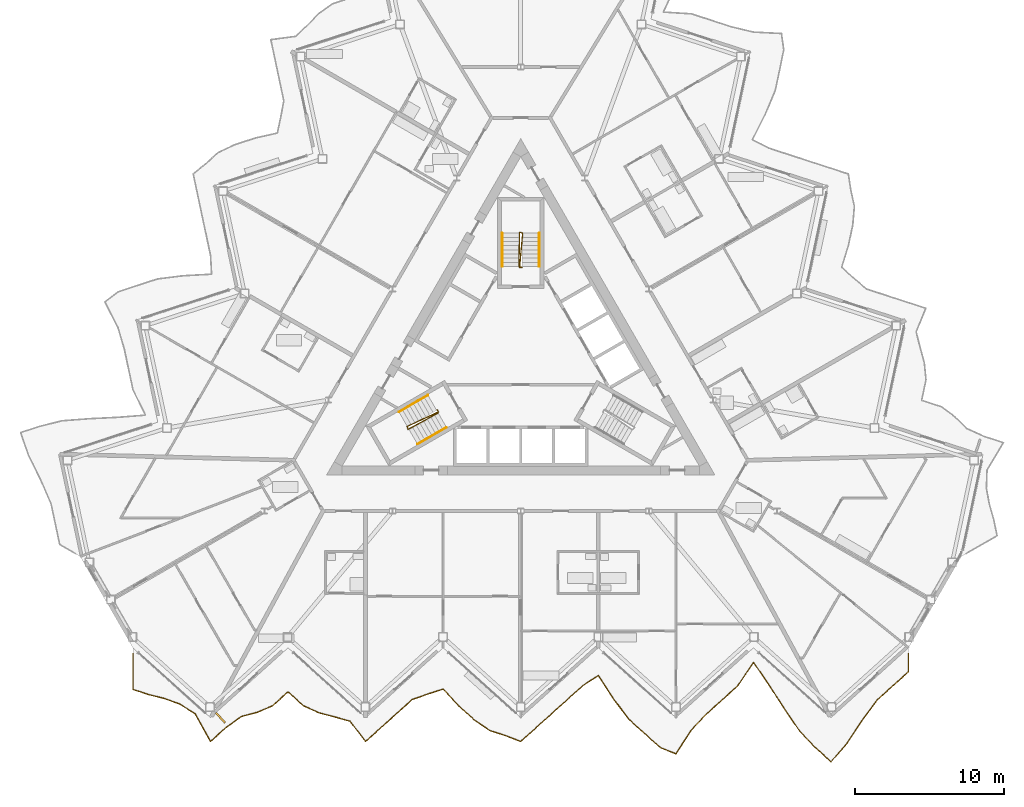
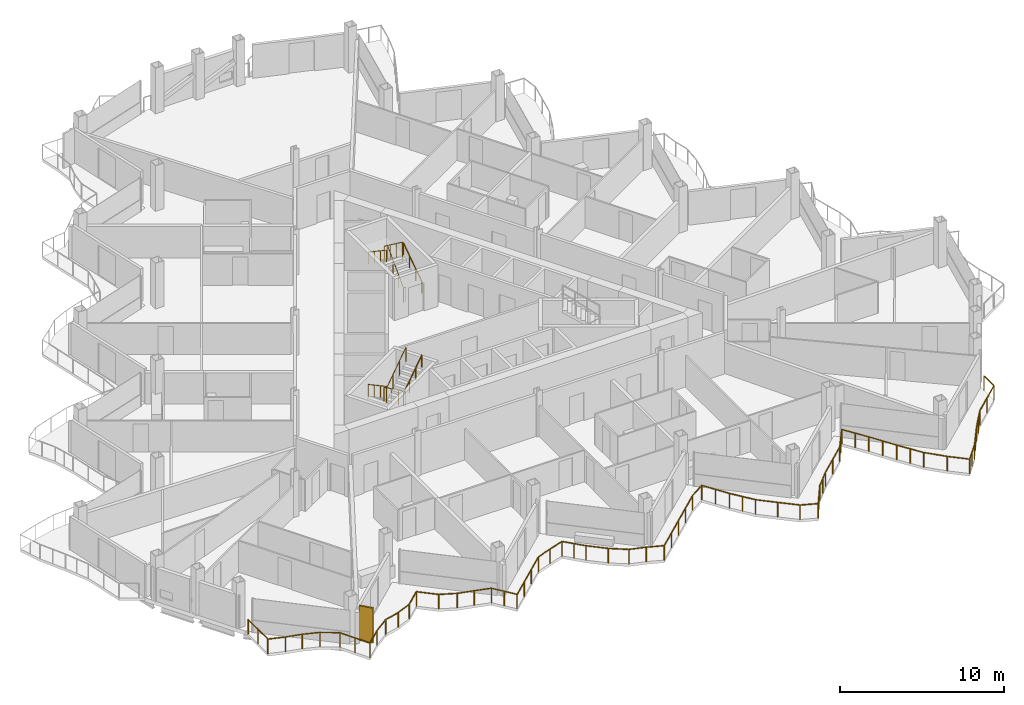
# One storey, part 23 of 28: 7 railings, 1 shading device.
"""IFC4 building model written with IfcOpenShell, lengths in metres."""

from ifc_helpers import new_model, si_unit, direction, frame, origin, origin_2d, place, context, subcontext, project, spatial, rectangle, circle, extrude, material, layer, layer_set, type_object, element, save


model = new_model("IFC4")

# Units and contexts
model_context = context("Model", 3, precision=1e-05, world=origin(), true_north=direction((0.0, 1.0)))
body_context = subcontext(model_context, "Body", "Model", "MODEL_VIEW")
ifc_project = project(units=[si_unit("LENGTHUNIT", "METRE"), si_unit("AREAUNIT", "SQUARE_METRE"), si_unit("VOLUMEUNIT", "CUBIC_METRE"), si_unit("PLANEANGLEUNIT", "RADIAN"), si_unit("MASSUNIT", "GRAM", prefix="KILO")], contexts=[model_context])

# Site, building, storey
site_placement = place(None, origin())
site = spatial("IfcSite", under=ifc_project, at=site_placement, CompositionType="ELEMENT")
building_placement = place(site_placement, origin())
building = spatial("IfcBuilding", under=site, at=building_placement, Name="Cormorant Prow Tower", CompositionType="ELEMENT")
storey_placement = place(building_placement, frame((0.0, 0.0, 308.60009765625)))
storey = spatial("IfcBuildingStorey", under=building, at=storey_placement, Name="L67", CompositionType="ELEMENT", Elevation=308.60009765625)

# Railings
ifc_material_1 = material(Name="Aluminium 6063-T6", Category="aluminium")
railing_type_1 = type_object("IfcRailingType", Name="Balcony guard 1100", PredefinedType="GUARDRAIL", material=ifc_material_1)
railing_1_placement = place(storey_placement, frame((-25.95458984375, -19.43505859375, 0.0)))
element("IfcRailing", 1, at=railing_1_placement, inside=storey, type_object=railing_type_1, Name="Balcony guard S", PredefinedType="GUARDRAIL", context=body_context, shape_type="SweptSolid", body=[
    extrude(circle(Radius=0.02392578125, at=origin_2d()), frame((0.0, 0.0, 1.076171875), z_axis=(0.0, -1.0, 0.0), x_axis=(1.0, 0.0, 0.0)), (0.0, 0.0, 1.0), 2.40380859375),
    extrude(circle(Radius=0.02392578125, at=origin_2d()), frame((0.0, -2.40380859375, 1.076171875), z_axis=(0.949173259648, -0.314754067757, 0.0), x_axis=(0.314754067757, 0.949173259648, 0.0)), (0.0, 0.0, 1.0), 1.09375),
    extrude(circle(Radius=0.02392578125, at=origin_2d()), frame((1.0380859375, -2.748046875, 1.076171875), z_axis=(0.970517275206, -0.241031571641, 0.0), x_axis=(0.241031571641, 0.970517275206, 0.0)), (0.0, 0.0, 1.0), 1.069580078125),
    extrude(circle(Radius=0.02392578125, at=origin_2d()), frame((2.076171875, -3.005859375, 1.076171875), z_axis=(0.941736901788, -0.336350424128, 0.0), x_axis=(0.336350424128, 0.941736901788, 0.0)), (0.0, 0.0, 1.0), 1.1025390625),
    extrude(circle(Radius=0.02392578125, at=origin_2d()), frame((3.114501953125, -3.376708984375, 1.076171875), z_axis=(0.848043120232, -0.529927227294, 0.0), x_axis=(0.529927227294, 0.848043120232, 0.0)), (0.0, 0.0, 1.0), 1.22412109375),
    extrude(circle(Radius=0.02392578125, at=origin_2d()), frame((4.152587890625, -4.025390625, 1.076171875), z_axis=(0.485672025198, -0.874141112144, 0.0), x_axis=(0.874141112144, 0.485672025198, 0.0)), (0.0, 0.0, 1.0), 2.137451171875),
    extrude(circle(Radius=0.02392578125, at=origin_2d()), frame((5.190673828125, -5.893798828125, 1.076171875), z_axis=(0.743181180353, 0.669090227973, 0.0), x_axis=(-0.669090227973, 0.743181180353, 0.0)), (0.0, 0.0, 1.0), 1.397216796875),
    extrude(circle(Radius=0.02392578125, at=origin_2d()), frame((6.22900390625, -4.958984375, 1.076171875), z_axis=(0.813112800382, 0.582106153425, 0.0), x_axis=(-0.582106153425, 0.813112800382, 0.0)), (0.0, 0.0, 1.0), 1.276611328125),
    extrude(circle(Radius=0.02392578125, at=origin_2d()), frame((7.26708984375, -4.2158203125, 1.076171875), z_axis=(0.967976416929, 0.251041144574, 0.0), x_axis=(-0.251041144574, 0.967976416929, 0.0)), (0.0, 0.0, 1.0), 1.07275390625),
    extrude(circle(Radius=0.02392578125, at=origin_2d()), frame((8.305419921875, -3.946533203125, 1.076171875), z_axis=(0.920104863514, 0.39167210794, 0.0), x_axis=(-0.39167210794, 0.920104863514, 0.0)), (0.0, 0.0, 1.0), 1.128173828125),
    extrude(circle(Radius=0.02392578125, at=origin_2d()), frame((9.343505859375, -3.504638671875, 1.076171875), z_axis=(0.743181180353, 0.669090227973, 0.0), x_axis=(-0.669090227973, 0.743181180353, 0.0)), (0.0, 0.0, 1.0), 1.397216796875),
    extrude(circle(Radius=0.02392578125, at=origin_2d()), frame((10.3818359375, -2.56982421875, 1.076171875), z_axis=(0.743102935947, -0.669177126468, 0.0), x_axis=(0.669177126468, 0.743102935947, 0.0)), (0.0, 0.0, 1.0), 1.39697265625),
    extrude(circle(Radius=0.02392578125, at=origin_2d()), frame((11.419921875, -3.504638671875, 1.076171875), z_axis=(0.911668647203, -0.410926121958, 0.0), x_axis=(0.410926121958, 0.911668647203, 0.0)), (0.0, 0.0, 1.0), 1.138916015625),
    extrude(circle(Radius=0.02392578125, at=origin_2d()), frame((12.458251953125, -3.97265625, 1.076171875), z_axis=(0.967239344421, -0.253866206109, 0.0), x_axis=(0.253866206109, 0.967239344421, 0.0)), (0.0, 0.0, 1.0), 1.0732421875),
    extrude(circle(Radius=0.02392578125, at=origin_2d()), frame((13.496337890625, -4.2451171875, 1.076171875), z_axis=(0.961694459853, -0.274123632489, 0.0), x_axis=(0.274123632489, 0.961694459853, 0.0)), (0.0, 0.0, 1.0), 1.079345703125),
    extrude(circle(Radius=0.02392578125, at=origin_2d()), frame((14.534423828125, -4.541015625, 1.076171875), z_axis=(0.608873261751, -0.793267515486, 0.0), x_axis=(0.793267515486, 0.608873261751, 0.0)), (0.0, 0.0, 1.0), 1.705322265625),
    extrude(circle(Radius=0.02392578125, at=origin_2d()), frame((15.57275390625, -5.893798828125, 1.076171875), z_axis=(0.743102935947, 0.669177126468, 0.0), x_axis=(-0.669177126468, 0.743102935947, 0.0)), (0.0, 0.0, 1.0), 1.39697265625),
    extrude(circle(Radius=0.02392578125, at=origin_2d()), frame((16.61083984375, -4.958984375, 1.076171875), z_axis=(0.743181180353, 0.669090227973, 0.0), x_axis=(-0.669090227973, 0.743181180353, 0.0)), (0.0, 0.0, 1.0), 1.397216796875),
    extrude(circle(Radius=0.02392578125, at=origin_2d()), frame((17.649169921875, -4.024169921875, 1.076171875), z_axis=(0.743102935947, 0.669177126468, 0.0), x_axis=(-0.669177126468, 0.743102935947, 0.0)), (0.0, 0.0, 1.0), 1.39697265625),
    extrude(circle(Radius=0.02392578125, at=origin_2d()), frame((18.687255859375, -3.08935546875, 1.076171875), z_axis=(0.942017211045, 0.335564560248, 0.0), x_axis=(-0.335564560248, 0.942017211045, 0.0)), (0.0, 0.0, 1.0), 1.102294921875),
    extrude(circle(Radius=0.02392578125, at=origin_2d()), frame((19.7255859375, -2.719482421875, 1.076171875), z_axis=(0.951224593254, 0.30849922721, 0.0), x_axis=(-0.30849922721, 0.951224593254, 0.0)), (0.0, 0.0, 1.0), 1.09130859375),
    extrude(circle(Radius=0.02392578125, at=origin_2d()), frame((20.763671875, -2.3828125, 1.076171875), z_axis=(0.6791818494, -0.733970037158, 0.0), x_axis=(0.733970037158, 0.6791818494, 0.0)), (0.0, 0.0, 1.0), 1.5283203125),
    extrude(circle(Radius=0.02392578125, at=origin_2d()), frame((21.8017578125, -3.504638671875, 1.076171875), z_axis=(0.743181180353, -0.669090227973, 0.0), x_axis=(0.669090227973, 0.743181180353, 0.0)), (0.0, 0.0, 1.0), 1.397216796875),
    extrude(circle(Radius=0.02392578125, at=origin_2d()), frame((22.840087890625, -4.439453125, 1.076171875), z_axis=(0.820987837524, -0.570945680987, 0.0), x_axis=(0.570945680987, 0.820987837524, 0.0)), (0.0, 0.0, 1.0), 1.264404296875),
    extrude(circle(Radius=0.02392578125, at=origin_2d()), frame((23.878173828125, -5.161376953125, 1.076171875), z_axis=(0.953586053712, -0.301120637229, 0.0), x_axis=(0.301120637229, 0.953586053712, 0.0)), (0.0, 0.0, 1.0), 1.0888671875),
    extrude(circle(Radius=0.02392578125, at=origin_2d()), frame((24.91650390625, -5.4892578125, 1.076171875), z_axis=(0.931749472276, -0.363101805165, 0.0), x_axis=(0.363101805165, 0.931749472276, 0.0)), (0.0, 0.0, 1.0), 1.114013671875),
    extrude(circle(Radius=0.02392578125, at=origin_2d()), frame((25.95458984375, -5.893798828125, 1.076171875), z_axis=(0.743102935947, 0.669177126468, 0.0), x_axis=(-0.669177126468, 0.743102935947, 0.0)), (0.0, 0.0, 1.0), 1.39697265625),
    extrude(circle(Radius=0.02392578125, at=origin_2d()), frame((26.99267578125, -4.958984375, 1.076171875), z_axis=(0.743181180353, 0.669090227973, 0.0), x_axis=(-0.669090227973, 0.743181180353, 0.0)), (0.0, 0.0, 1.0), 1.397216796875),
    extrude(circle(Radius=0.02392578125, at=origin_2d()), frame((28.031005859375, -4.024169921875, 1.076171875), z_axis=(0.743102935947, 0.669177126468, 0.0), x_axis=(-0.669177126468, 0.743102935947, 0.0)), (0.0, 0.0, 1.0), 1.39697265625),
    extrude(circle(Radius=0.02392578125, at=origin_2d()), frame((29.069091796875, -3.08935546875, 1.076171875), z_axis=(0.743181180353, 0.669090227973, 0.0), x_axis=(-0.669090227973, 0.743181180353, 0.0)), (0.0, 0.0, 1.0), 1.397216796875),
    extrude(circle(Radius=0.02392578125, at=origin_2d()), frame((30.107421875, -2.154541015625, 1.076171875), z_axis=(0.837073641945, 0.547090228355, 0.0), x_axis=(-0.547090228355, 0.837073641945, 0.0)), (0.0, 0.0, 1.0), 1.240234375),
    extrude(circle(Radius=0.02392578125, at=origin_2d()), frame((31.1455078125, -1.47607421875, 1.076171875), z_axis=(0.546017058916, -0.837774057472, 0.0), x_axis=(0.837774057472, 0.546017058916, 0.0)), (0.0, 0.0, 1.0), 1.901123046875),
    extrude(circle(Radius=0.02392578125, at=origin_2d()), frame((32.18359375, -3.06884765625, 1.076171875), z_axis=(0.603854954358, -0.797094219084, 0.0), x_axis=(0.797094219084, 0.603854954358, 0.0)), (0.0, 0.0, 1.0), 1.719482421875),
    extrude(circle(Radius=0.02392578125, at=origin_2d()), frame((33.221923828125, -4.439453125, 1.076171875), z_axis=(0.743102935947, -0.669177126468, 0.0), x_axis=(0.669177126468, 0.743102935947, 0.0)), (0.0, 0.0, 1.0), 1.39697265625),
    extrude(circle(Radius=0.02392578125, at=origin_2d()), frame((34.260009765625, -5.374267578125, 1.076171875), z_axis=(0.746837425628, -0.665006661381, 0.0), x_axis=(0.665006661381, 0.746837425628, 0.0)), (0.0, 0.0, 1.0), 1.390380859375),
    extrude(circle(Radius=0.02392578125, at=origin_2d()), frame((35.29833984375, -6.298828125, 1.076171875), z_axis=(0.926950423563, -0.375183837947, 0.0), x_axis=(0.375183837947, 0.926950423563, 0.0)), (0.0, 0.0, 1.0), 1.119873046875),
    extrude(circle(Radius=0.02392578125, at=origin_2d()), frame((36.33642578125, -6.718994140625, 1.076171875), z_axis=(0.543590406958, 0.839350623675, 0.0), x_axis=(-0.839350623675, 0.543590406958, 0.0)), (0.0, 0.0, 1.0), 1.91015625),
    extrude(circle(Radius=0.02392578125, at=origin_2d()), frame((37.374755859375, -5.11572265625, 1.076171875), z_axis=(0.689136977099, 0.724631097039, 0.0), x_axis=(-0.724631097039, 0.689136977099, 0.0)), (0.0, 0.0, 1.0), 1.50634765625),
    extrude(circle(Radius=0.02392578125, at=origin_2d()), frame((38.412841796875, -4.024169921875, 1.076171875), z_axis=(0.743102935947, 0.669177126468, 0.0), x_axis=(-0.669177126468, 0.743102935947, 0.0)), (0.0, 0.0, 1.0), 1.39697265625),
    extrude(circle(Radius=0.02392578125, at=origin_2d()), frame((39.450927734375, -3.08935546875, 1.076171875), z_axis=(0.743181180353, 0.669090227973, 0.0), x_axis=(-0.669090227973, 0.743181180353, 0.0)), (0.0, 0.0, 1.0), 1.397216796875),
    extrude(circle(Radius=0.02392578125, at=origin_2d()), frame((40.4892578125, -2.154541015625, 1.076171875), z_axis=(0.554278971018, 0.832330957184, 0.0), x_axis=(-0.832330957184, 0.554278971018, 0.0)), (0.0, 0.0, 1.0), 1.872802734375),
    extrude(circle(Radius=0.02392578125, at=origin_2d()), frame((41.52734375, -0.595703125, 1.076171875), z_axis=(0.566788967797, -0.823863014089, 0.0), x_axis=(0.823863014089, 0.566788967797, 0.0)), (0.0, 0.0, 1.0), 1.83203125),
    extrude(circle(Radius=0.02392578125, at=origin_2d()), frame((42.565673828125, -2.10498046875, 1.076171875), z_axis=(0.541465375542, -0.840723050171, 0.0), x_axis=(0.840723050171, 0.541465375542, 0.0)), (0.0, 0.0, 1.0), 1.917236328125),
    extrude(circle(Radius=0.02392578125, at=origin_2d()), frame((43.603759765625, -3.716796875, 1.076171875), z_axis=(0.56511254565, -0.825013824581, 0.0), x_axis=(0.825013824581, 0.56511254565, 0.0)), (0.0, 0.0, 1.0), 1.83740234375),
    extrude(circle(Radius=0.02392578125, at=origin_2d()), frame((44.64208984375, -5.232666015625, 1.076171875), z_axis=(0.69417484653, -0.71980642012, 0.0), x_axis=(0.71980642012, 0.69417484653, 0.0)), (0.0, 0.0, 1.0), 1.495361328125),
    extrude(circle(Radius=0.02392578125, at=origin_2d()), frame((45.68017578125, -6.30908203125, 1.076171875), z_axis=(0.743181180353, -0.669090227973, 0.0), x_axis=(0.669090227973, 0.743181180353, 0.0)), (0.0, 0.0, 1.0), 1.397216796875),
    extrude(circle(Radius=0.02392578125, at=origin_2d()), frame((46.718505859375, -7.243896484375, 1.076171875), z_axis=(0.655247292245, 0.755414446516, 0.0), x_axis=(-0.755414446516, 0.655247292245, 0.0)), (0.0, 0.0, 1.0), 1.584228515625),
    extrude(circle(Radius=0.02392578125, at=origin_2d()), frame((47.756591796875, -6.047119140625, 1.076171875), z_axis=(0.554880873784, 0.831929814293, 0.0), x_axis=(-0.831929814293, 0.554880873784, 0.0)), (0.0, 0.0, 1.0), 1.870849609375),
    extrude(circle(Radius=0.02392578125, at=origin_2d()), frame((48.794677734375, -4.49072265625, 1.076171875), z_axis=(0.595331321169, 0.803480315898, 0.0), x_axis=(-0.803480315898, 0.595331321169, 0.0)), (0.0, 0.0, 1.0), 1.744140625),
    extrude(circle(Radius=0.02392578125, at=origin_2d()), frame((49.8330078125, -3.08935546875, 1.076171875), z_axis=(0.743102935947, 0.669177126468, 0.0), x_axis=(-0.669177126468, 0.743102935947, 0.0)), (0.0, 0.0, 1.0), 1.39697265625),
    extrude(circle(Radius=0.02392578125, at=origin_2d()), frame((50.87109375, -2.154541015625, 1.076171875), z_axis=(0.743189845047, 0.669080603678, 0.0), x_axis=(-0.669080603678, 0.743189845047, 0.0)), (0.0, 0.0, 1.0), 1.396728515625),
    extrude(circle(Radius=0.02392578125, at=origin_2d()), frame((51.9091796875, -1.219970703125, 1.076171875), z_axis=(0.0, 1.0, 0.0), x_axis=(-1.0, 0.0, 0.0)), (0.0, 0.0, 1.0), 1.219970703125),
    extrude(circle(Radius=0.02099609375, at=origin_2d()), origin(), (0.0, 0.0, 1.0), 1.052001953125),
    extrude(circle(Radius=0.02099609375, at=origin_2d()), frame((0.0, -1.201904296875, 0.0)), (0.0, 0.0, 1.0), 1.052001953125),
    extrude(circle(Radius=0.02099609375, at=origin_2d()), frame((0.0, -2.40380859375, 0.0)), (0.0, 0.0, 1.0), 1.052001953125),
    extrude(circle(Radius=0.02099609375, at=origin_2d()), frame((1.0380859375, -2.748046875, 0.0)), (0.0, 0.0, 1.0), 1.052001953125),
    extrude(circle(Radius=0.02099609375, at=origin_2d()), frame((2.076171875, -3.005859375, 0.0)), (0.0, 0.0, 1.0), 1.052001953125),
    extrude(circle(Radius=0.02099609375, at=origin_2d()), frame((3.114501953125, -3.376708984375, 0.0)), (0.0, 0.0, 1.0), 1.052001953125),
    extrude(circle(Radius=0.02099609375, at=origin_2d()), frame((4.152587890625, -4.025390625, 0.0)), (0.0, 0.0, 1.0), 1.052001953125),
    extrude(circle(Radius=0.02099609375, at=origin_2d()), frame((4.671630859375, -4.95947265625, 0.0)), (0.0, 0.0, 1.0), 1.052001953125),
    extrude(circle(Radius=0.02099609375, at=origin_2d()), frame((5.190673828125, -5.893798828125, 0.0)), (0.0, 0.0, 1.0), 1.052001953125),
    extrude(circle(Radius=0.02099609375, at=origin_2d()), frame((6.22900390625, -4.958984375, 0.0)), (0.0, 0.0, 1.0), 1.052001953125),
    extrude(circle(Radius=0.02099609375, at=origin_2d()), frame((7.26708984375, -4.2158203125, 0.0)), (0.0, 0.0, 1.0), 1.052001953125),
    extrude(circle(Radius=0.02099609375, at=origin_2d()), frame((8.305419921875, -3.946533203125, 0.0)), (0.0, 0.0, 1.0), 1.052001953125),
    extrude(circle(Radius=0.02099609375, at=origin_2d()), frame((9.343505859375, -3.504638671875, 0.0)), (0.0, 0.0, 1.0), 1.052001953125),
    extrude(circle(Radius=0.02099609375, at=origin_2d()), frame((10.3818359375, -2.56982421875, 0.0)), (0.0, 0.0, 1.0), 1.052001953125),
    extrude(circle(Radius=0.02099609375, at=origin_2d()), frame((11.419921875, -3.504638671875, 0.0)), (0.0, 0.0, 1.0), 1.052001953125),
    extrude(circle(Radius=0.02099609375, at=origin_2d()), frame((12.458251953125, -3.97265625, 0.0)), (0.0, 0.0, 1.0), 1.052001953125),
    extrude(circle(Radius=0.02099609375, at=origin_2d()), frame((13.496337890625, -4.2451171875, 0.0)), (0.0, 0.0, 1.0), 1.052001953125),
    extrude(circle(Radius=0.02099609375, at=origin_2d()), frame((14.534423828125, -4.541015625, 0.0)), (0.0, 0.0, 1.0), 1.052001953125),
    extrude(circle(Radius=0.02099609375, at=origin_2d()), frame((15.0537109375, -5.21728515625, 0.0)), (0.0, 0.0, 1.0), 1.052001953125),
    extrude(circle(Radius=0.02099609375, at=origin_2d()), frame((15.57275390625, -5.893798828125, 0.0)), (0.0, 0.0, 1.0), 1.052001953125),
    extrude(circle(Radius=0.02099609375, at=origin_2d()), frame((16.61083984375, -4.958984375, 0.0)), (0.0, 0.0, 1.0), 1.052001953125),
    extrude(circle(Radius=0.02099609375, at=origin_2d()), frame((17.649169921875, -4.024169921875, 0.0)), (0.0, 0.0, 1.0), 1.052001953125),
    extrude(circle(Radius=0.02099609375, at=origin_2d()), frame((18.687255859375, -3.08935546875, 0.0)), (0.0, 0.0, 1.0), 1.052001953125),
    extrude(circle(Radius=0.02099609375, at=origin_2d()), frame((19.7255859375, -2.719482421875, 0.0)), (0.0, 0.0, 1.0), 1.052001953125),
    extrude(circle(Radius=0.02099609375, at=origin_2d()), frame((20.763671875, -2.3828125, 0.0)), (0.0, 0.0, 1.0), 1.052001953125),
    extrude(circle(Radius=0.02099609375, at=origin_2d()), frame((21.28271484375, -2.94384765625, 0.0)), (0.0, 0.0, 1.0), 1.052001953125),
    extrude(circle(Radius=0.02099609375, at=origin_2d()), frame((21.8017578125, -3.504638671875, 0.0)), (0.0, 0.0, 1.0), 1.052001953125),
    extrude(circle(Radius=0.02099609375, at=origin_2d()), frame((22.840087890625, -4.439453125, 0.0)), (0.0, 0.0, 1.0), 1.052001953125),
    extrude(circle(Radius=0.02099609375, at=origin_2d()), frame((23.878173828125, -5.161376953125, 0.0)), (0.0, 0.0, 1.0), 1.052001953125),
    extrude(circle(Radius=0.02099609375, at=origin_2d()), frame((24.91650390625, -5.4892578125, 0.0)), (0.0, 0.0, 1.0), 1.052001953125),
    extrude(circle(Radius=0.02099609375, at=origin_2d()), frame((25.95458984375, -5.893798828125, 0.0)), (0.0, 0.0, 1.0), 1.052001953125),
    extrude(circle(Radius=0.02099609375, at=origin_2d()), frame((26.99267578125, -4.958984375, 0.0)), (0.0, 0.0, 1.0), 1.052001953125),
    extrude(circle(Radius=0.02099609375, at=origin_2d()), frame((28.031005859375, -4.024169921875, 0.0)), (0.0, 0.0, 1.0), 1.052001953125),
    extrude(circle(Radius=0.02099609375, at=origin_2d()), frame((29.069091796875, -3.08935546875, 0.0)), (0.0, 0.0, 1.0), 1.052001953125),
    extrude(circle(Radius=0.02099609375, at=origin_2d()), frame((30.107421875, -2.154541015625, 0.0)), (0.0, 0.0, 1.0), 1.052001953125),
    extrude(circle(Radius=0.02099609375, at=origin_2d()), frame((31.1455078125, -1.47607421875, 0.0)), (0.0, 0.0, 1.0), 1.052001953125),
    extrude(circle(Radius=0.02099609375, at=origin_2d()), frame((31.66455078125, -2.2724609375, 0.0)), (0.0, 0.0, 1.0), 1.052001953125),
    extrude(circle(Radius=0.02099609375, at=origin_2d()), frame((32.18359375, -3.06884765625, 0.0)), (0.0, 0.0, 1.0), 1.052001953125),
    extrude(circle(Radius=0.02099609375, at=origin_2d()), frame((32.70263671875, -3.754150390625, 0.0)), (0.0, 0.0, 1.0), 1.052001953125),
    extrude(circle(Radius=0.02099609375, at=origin_2d()), frame((33.221923828125, -4.439453125, 0.0)), (0.0, 0.0, 1.0), 1.052001953125),
    extrude(circle(Radius=0.02099609375, at=origin_2d()), frame((34.260009765625, -5.374267578125, 0.0)), (0.0, 0.0, 1.0), 1.052001953125),
    extrude(circle(Radius=0.02099609375, at=origin_2d()), frame((35.29833984375, -6.298828125, 0.0)), (0.0, 0.0, 1.0), 1.052001953125),
    extrude(circle(Radius=0.02099609375, at=origin_2d()), frame((36.33642578125, -6.718994140625, 0.0)), (0.0, 0.0, 1.0), 1.052001953125),
    extrude(circle(Radius=0.02099609375, at=origin_2d()), frame((36.85546875, -5.91748046875, 0.0)), (0.0, 0.0, 1.0), 1.052001953125),
    extrude(circle(Radius=0.02099609375, at=origin_2d()), frame((37.374755859375, -5.11572265625, 0.0)), (0.0, 0.0, 1.0), 1.052001953125),
    extrude(circle(Radius=0.02099609375, at=origin_2d()), frame((37.893798828125, -4.56982421875, 0.0)), (0.0, 0.0, 1.0), 1.052001953125),
    extrude(circle(Radius=0.02099609375, at=origin_2d()), frame((38.412841796875, -4.024169921875, 0.0)), (0.0, 0.0, 1.0), 1.052001953125),
    extrude(circle(Radius=0.02099609375, at=origin_2d()), frame((39.450927734375, -3.08935546875, 0.0)), (0.0, 0.0, 1.0), 1.052001953125),
    extrude(circle(Radius=0.02099609375, at=origin_2d()), frame((40.4892578125, -2.154541015625, 0.0)), (0.0, 0.0, 1.0), 1.052001953125),
    extrude(circle(Radius=0.02099609375, at=origin_2d()), frame((41.00830078125, -1.375, 0.0)), (0.0, 0.0, 1.0), 1.052001953125),
    extrude(circle(Radius=0.02099609375, at=origin_2d()), frame((41.52734375, -0.595703125, 0.0)), (0.0, 0.0, 1.0), 1.052001953125),
    extrude(circle(Radius=0.02099609375, at=origin_2d()), frame((42.04638671875, -1.350341796875, 0.0)), (0.0, 0.0, 1.0), 1.052001953125),
    extrude(circle(Radius=0.02099609375, at=origin_2d()), frame((42.565673828125, -2.10498046875, 0.0)), (0.0, 0.0, 1.0), 1.052001953125),
    extrude(circle(Radius=0.02099609375, at=origin_2d()), frame((43.084716796875, -2.910888671875, 0.0)), (0.0, 0.0, 1.0), 1.052001953125),
    extrude(circle(Radius=0.02099609375, at=origin_2d()), frame((43.603759765625, -3.716796875, 0.0)), (0.0, 0.0, 1.0), 1.052001953125),
    extrude(circle(Radius=0.02099609375, at=origin_2d()), frame((44.123046875, -4.474609375, 0.0)), (0.0, 0.0, 1.0), 1.052001953125),
    extrude(circle(Radius=0.02099609375, at=origin_2d()), frame((44.64208984375, -5.232666015625, 0.0)), (0.0, 0.0, 1.0), 1.052001953125),
    extrude(circle(Radius=0.02099609375, at=origin_2d()), frame((45.68017578125, -6.30908203125, 0.0)), (0.0, 0.0, 1.0), 1.052001953125),
    extrude(circle(Radius=0.02099609375, at=origin_2d()), frame((46.718505859375, -7.243896484375, 0.0)), (0.0, 0.0, 1.0), 1.052001953125),
    extrude(circle(Radius=0.02099609375, at=origin_2d()), frame((47.237548828125, -6.6455078125, 0.0)), (0.0, 0.0, 1.0), 1.052001953125),
    extrude(circle(Radius=0.02099609375, at=origin_2d()), frame((47.756591796875, -6.047119140625, 0.0)), (0.0, 0.0, 1.0), 1.052001953125),
    extrude(circle(Radius=0.02099609375, at=origin_2d()), frame((48.275634765625, -5.26904296875, 0.0)), (0.0, 0.0, 1.0), 1.052001953125),
    extrude(circle(Radius=0.02099609375, at=origin_2d()), frame((48.794677734375, -4.49072265625, 0.0)), (0.0, 0.0, 1.0), 1.052001953125),
    extrude(circle(Radius=0.02099609375, at=origin_2d()), frame((49.31396484375, -3.7900390625, 0.0)), (0.0, 0.0, 1.0), 1.052001953125),
    extrude(circle(Radius=0.02099609375, at=origin_2d()), frame((49.8330078125, -3.08935546875, 0.0)), (0.0, 0.0, 1.0), 1.052001953125),
    extrude(circle(Radius=0.02099609375, at=origin_2d()), frame((50.87109375, -2.154541015625, 0.0)), (0.0, 0.0, 1.0), 1.052001953125),
    extrude(circle(Radius=0.02099609375, at=origin_2d()), frame((51.9091796875, -1.219970703125, 0.0)), (0.0, 0.0, 1.0), 1.052001953125),
    extrude(circle(Radius=0.02099609375, at=origin_2d()), frame((51.9091796875, 0.0, 0.0)), (0.0, 0.0, 1.0), 1.052001953125),
])
ifc_material_2 = material(Name="Stainless steel", Category="steel")
railing_type_2 = type_object("IfcRailingType", Name="Stair guard 1100", PredefinedType="GUARDRAIL", material=ifc_material_2)
railing_2_placement = place(storey_placement, frame((-5.585205078125, -3.137939453125, 0.0)))
element("IfcRailing", 2, at=railing_2_placement, inside=storey, type_object=railing_type_2, Name="L67 ST1 stair guard 1", PredefinedType="GUARDRAIL", context=body_context, shape_type="SweptSolid", body=[
    extrude(circle(Radius=0.02392578125, at=origin_2d()), frame((0.0, 0.0, 1.076171875), z_axis=(0.501036270542, -0.865426285481, 0.0), x_axis=(0.865426285481, 0.501036270542, 0.0)), (0.0, 0.0, 1.0), 0.150146484375),
    extrude(circle(Radius=0.02392578125, at=origin_2d()), frame((0.0751953125, -0.1298828125, 1.076171875), z_axis=(-0.728641035543, -0.339941399566, 0.594577233152), x_axis=(0.422792438952, -0.906226546491, 0.0)), (0.0, 0.0, 1.0), 2.859130859375),
    extrude(circle(Radius=0.02392578125, at=origin_2d()), frame((-2.008056640625, -1.101806640625, 2.77587890625), z_axis=(0.275034262293, -0.961434425515, 0.0), x_axis=(0.961434425515, 0.275034262293, 0.0)), (0.0, 0.0, 1.0), 0.2060546875),
    extrude(circle(Radius=0.02392578125, at=origin_2d()), frame((-1.951416015625, -1.2998046875, 2.77587890625), z_axis=(0.704058451865, 0.386179398835, 0.595959032378), x_axis=(-0.480911908544, 0.87676891837, 0.0)), (0.0, 0.0, 1.0), 2.8525390625),
    extrude(circle(Radius=0.02099609375, at=origin_2d()), origin(), (0.0, 0.0, 1.0), 1.052001953125),
    extrude(circle(Radius=0.02099609375, at=origin_2d()), frame((0.0751953125, -0.1298828125, 0.0)), (0.0, 0.0, 1.0), 1.052001953125),
    extrude(circle(Radius=0.02099609375, at=origin_2d()), frame((-0.619140625, -0.453857421875, 0.566650390625)), (0.0, 0.0, 1.0), 1.052001953125),
    extrude(circle(Radius=0.02099609375, at=origin_2d()), frame((-1.313720703125, -0.77783203125, 1.13330078125)), (0.0, 0.0, 1.0), 1.052001953125),
    extrude(circle(Radius=0.02099609375, at=origin_2d()), frame((-2.008056640625, -1.101806640625, 1.699951171875)), (0.0, 0.0, 1.0), 1.052001953125),
    extrude(circle(Radius=0.02099609375, at=origin_2d()), frame((-1.951416015625, -1.2998046875, 1.699951171875)), (0.0, 0.0, 1.0), 1.052001953125),
    extrude(circle(Radius=0.02099609375, at=origin_2d()), frame((-1.281982421875, -0.9326171875, 2.2666015625)), (0.0, 0.0, 1.0), 1.052001953125),
    extrude(circle(Radius=0.02099609375, at=origin_2d()), frame((-0.612548828125, -0.5654296875, 2.833251953125)), (0.0, 0.0, 1.0), 1.052001953125),
    extrude(circle(Radius=0.02099609375, at=origin_2d()), frame((0.056884765625, -0.1982421875, 3.39990234375)), (0.0, 0.0, 1.0), 1.052001953125),
])
railing_3_placement = place(storey_placement, frame((0.074951171875, 6.40576171875, 0.0)))
element("IfcRailing", 3, at=railing_3_placement, inside=storey, type_object=railing_type_2, Name="L67 ST3 stair guard 1", PredefinedType="GUARDRAIL", context=body_context, shape_type="SweptSolid", body=[
    extrude(circle(Radius=0.02392578125, at=origin_2d()), frame((0.0, 0.0, 1.076171875), z_axis=(-1.0, 0.0, 0.0), x_axis=(0.0, -1.0, 0.0)), (0.0, 0.0, 1.0), 0.14990234375),
    extrude(circle(Radius=0.02392578125, at=origin_2d()), frame((-0.14990234375, 0.0, 1.076171875), z_axis=(0.069936542308, 0.800982621307, 0.594588698525), x_axis=(-0.996209839609, 0.086982500921, 0.0)), (0.0, 0.0, 1.0), 2.859130859375),
    extrude(circle(Radius=0.02392578125, at=origin_2d()), frame((0.050048828125, 2.2900390625, 2.77587890625), z_axis=(-0.970072785993, 0.242814311512, 0.0), x_axis=(-0.242814311512, -0.970072785993, 0.0)), (0.0, 0.0, 1.0), 0.2060546875),
    extrude(circle(Radius=0.02392578125, at=origin_2d()), frame((-0.14990234375, 2.340087890625, 2.77587890625), z_axis=(-0.017545750742, -0.80282508275, 0.595956402045), x_axis=(0.999761264773, -0.0218497931, 0.0)), (0.0, 0.0, 1.0), 2.8525390625),
    extrude(circle(Radius=0.02099609375, at=origin_2d()), origin(), (0.0, 0.0, 1.0), 1.052001953125),
    extrude(circle(Radius=0.02099609375, at=origin_2d()), frame((-0.14990234375, 0.0, 0.0)), (0.0, 0.0, 1.0), 1.052001953125),
    extrude(circle(Radius=0.02099609375, at=origin_2d()), frame((-0.083251953125, 0.763427734375, 0.566650390625)), (0.0, 0.0, 1.0), 1.052001953125),
    extrude(circle(Radius=0.02099609375, at=origin_2d()), frame((-0.0166015625, 1.526611328125, 1.13330078125)), (0.0, 0.0, 1.0), 1.052001953125),
    extrude(circle(Radius=0.02099609375, at=origin_2d()), frame((0.050048828125, 2.2900390625, 1.699951171875)), (0.0, 0.0, 1.0), 1.052001953125),
    extrude(circle(Radius=0.02099609375, at=origin_2d()), frame((-0.14990234375, 2.340087890625, 1.699951171875)), (0.0, 0.0, 1.0), 1.052001953125),
    extrude(circle(Radius=0.02099609375, at=origin_2d()), frame((-0.16650390625, 1.57666015625, 2.2666015625)), (0.0, 0.0, 1.0), 1.052001953125),
    extrude(circle(Radius=0.02099609375, at=origin_2d()), frame((-0.183349609375, 0.8134765625, 2.833251953125)), (0.0, 0.0, 1.0), 1.052001953125),
    extrude(circle(Radius=0.02099609375, at=origin_2d()), frame((-0.199951171875, 0.050048828125, 3.39990234375)), (0.0, 0.0, 1.0), 1.052001953125),
])
ifc_material_3 = material(Name="Stainless steel", Category="steel")
railing_type_3 = type_object("IfcRailingType", Name="Stair handrail 900", PredefinedType="HANDRAIL", material=ifc_material_3)
railing_4_placement = place(storey_placement, frame((-6.212890625, -2.150634765625, 0.188720703125)))
element("IfcRailing", 4, at=railing_4_placement, inside=storey, type_object=railing_type_3, Name="L67 ST1 stair handrail 1", PredefinedType="HANDRAIL", context=body_context, shape_type="SweptSolid", body=[
    extrude(circle(Radius=0.02392578125, at=origin_2d()), frame((0.0, 0.0, 0.8759765625), z_axis=(-0.717940317343, -0.414446543626, 0.55928147047), x_axis=(0.49994888933, -0.866054910533, 0.0)), (0.0, 0.0, 1.0), 2.7021484375),
    extrude(circle(Radius=0.02099609375, at=origin_2d()), origin(), (0.0, 0.0, 1.0), 0.851806640625),
    extrude(circle(Radius=0.02099609375, at=origin_2d()), frame((-0.646728515625, -0.373291015625, 0.503662109375)), (0.0, 0.0, 1.0), 0.851806640625),
    extrude(circle(Radius=0.02099609375, at=origin_2d()), frame((-1.293212890625, -0.74658203125, 1.007568359375)), (0.0, 0.0, 1.0), 0.851806640625),
    extrude(circle(Radius=0.02099609375, at=origin_2d()), frame((-1.93994140625, -1.119873046875, 1.51123046875)), (0.0, 0.0, 1.0), 0.851806640625),
])
railing_5_placement = place(storey_placement, frame((-6.90869140625, -5.42529296875, 1.888671875)))
element("IfcRailing", 5, at=railing_5_placement, inside=storey, type_object=railing_type_3, Name="L67 ST1 stair handrail 2", PredefinedType="HANDRAIL", context=body_context, shape_type="SweptSolid", body=[
    extrude(circle(Radius=0.02392578125, at=origin_2d()), frame((0.0, 0.0, 0.8759765625), z_axis=(0.717869644322, 0.414548260308, 0.559296802813), x_axis=(-0.500077830873, 0.865980463445, 0.0)), (0.0, 0.0, 1.0), 2.701904296875),
    extrude(circle(Radius=0.02099609375, at=origin_2d()), origin(), (0.0, 0.0, 1.0), 0.851806640625),
    extrude(circle(Radius=0.02099609375, at=origin_2d()), frame((0.646484375, 0.373291015625, 0.503662109375)), (0.0, 0.0, 1.0), 0.851806640625),
    extrude(circle(Radius=0.02099609375, at=origin_2d()), frame((1.293212890625, 0.746826171875, 1.007568359375)), (0.0, 0.0, 1.0), 0.851806640625),
    extrude(circle(Radius=0.02099609375, at=origin_2d()), frame((1.939697265625, 1.1201171875, 1.51123046875)), (0.0, 0.0, 1.0), 0.851806640625),
])
railing_6_placement = place(storey_placement, frame((1.243896484375, 6.455810546875, 0.188720703125)))
element("IfcRailing", 6, at=railing_6_placement, inside=storey, type_object=railing_type_3, Name="L67 ST3 stair handrail 1", PredefinedType="HANDRAIL", context=body_context, shape_type="SweptSolid", body=[
    extrude(circle(Radius=0.02392578125, at=origin_2d()), frame((0.0, 0.0, 0.8759765625), z_axis=(0.0, 0.828979582247, 0.559278868023), x_axis=(-1.0, 0.0, 0.0)), (0.0, 0.0, 1.0), 2.7021484375),
    extrude(circle(Radius=0.02099609375, at=origin_2d()), origin(), (0.0, 0.0, 1.0), 0.851806640625),
    extrude(circle(Radius=0.02099609375, at=origin_2d()), frame((0.0, 0.74658203125, 0.503662109375)), (0.0, 0.0, 1.0), 0.851806640625),
    extrude(circle(Radius=0.02099609375, at=origin_2d()), frame((0.0, 1.493408203125, 1.007568359375)), (0.0, 0.0, 1.0), 0.851806640625),
    extrude(circle(Radius=0.02099609375, at=origin_2d()), frame((0.0, 2.239990234375, 1.51123046875)), (0.0, 0.0, 1.0), 0.851806640625),
])
railing_7_placement = place(storey_placement, frame((-1.243896484375, 8.69580078125, 1.888671875)))
element("IfcRailing", 7, at=railing_7_placement, inside=storey, type_object=railing_type_3, Name="L67 ST3 stair handrail 2", PredefinedType="HANDRAIL", context=body_context, shape_type="SweptSolid", body=[
    extrude(circle(Radius=0.02392578125, at=origin_2d()), frame((0.0, 0.0, 0.8759765625), z_axis=(0.0, -0.828979582247, 0.559278868023), x_axis=(1.0, 0.0, 0.0)), (0.0, 0.0, 1.0), 2.7021484375),
    extrude(circle(Radius=0.02099609375, at=origin_2d()), origin(), (0.0, 0.0, 1.0), 0.851806640625),
    extrude(circle(Radius=0.02099609375, at=origin_2d()), frame((0.0, -0.74658203125, 0.503662109375)), (0.0, 0.0, 1.0), 0.851806640625),
    extrude(circle(Radius=0.02099609375, at=origin_2d()), frame((0.0, -1.493408203125, 1.007568359375)), (0.0, 0.0, 1.0), 0.851806640625),
    extrude(circle(Radius=0.02099609375, at=origin_2d()), frame((0.0, -2.239990234375, 1.51123046875)), (0.0, 0.0, 1.0), 0.851806640625),
])

# Shading device
ifc_material_4 = material(Name="Terracotta", Category="masonry")
ifc_layer = layer(ifc_material_4, 0.1201171875)
ifc_layer_set = layer_set([ifc_layer], Name="Terracotta")
shading_device_type = type_object("IfcShadingDeviceType", Name="Terracotta baguette fin 120x900x2600", PredefinedType="USERDEFINED", material=ifc_layer_set)
shading_device_placement = place(storey_placement, frame((-20.095458984375, -23.732666015625, -0.000244140625), z_axis=(0.0, 0.0, 1.0), x_axis=(0.743144844712, 0.669130584997, 0.0)))
element("IfcShadingDevice", 8, at=shading_device_placement, inside=storey, type_object=shading_device_type, Name="Baguette fin S01", ObjectType="BAGUETTE", PredefinedType="USERDEFINED", context=body_context, shape_type="SweptSolid", body=[
    extrude(rectangle(XDim=0.1201171875, YDim=0.89990234375, at=origin_2d()), origin(), (0.0, 0.0, 1.0), 2.60009765625),
])

save(model, "model.ifc")
